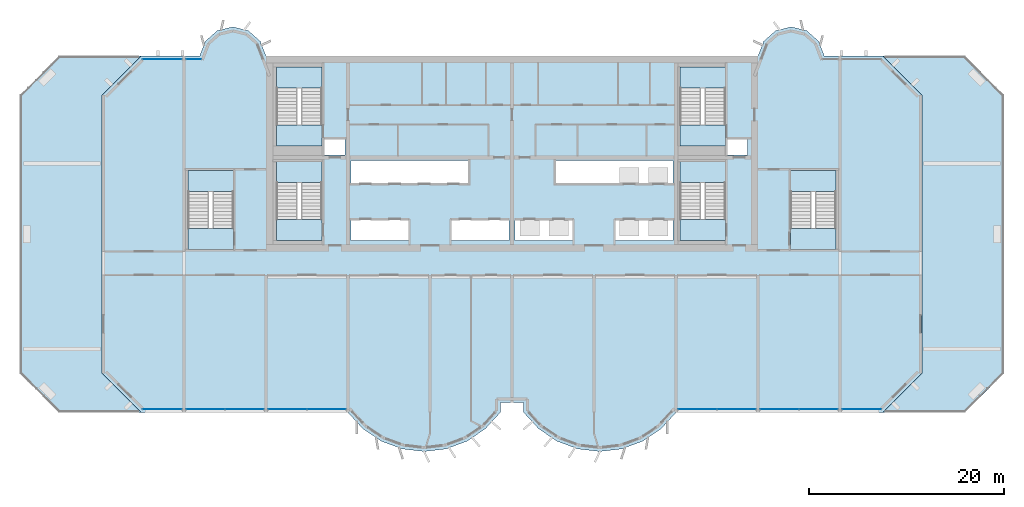
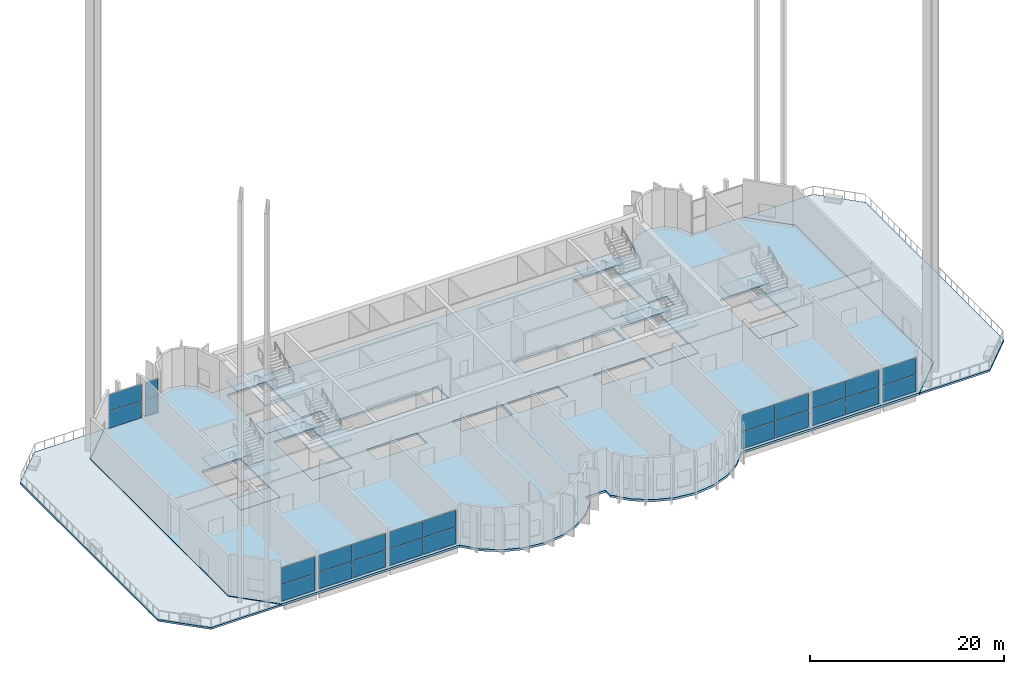
# One storey, part 9 of 19: 24 plates, 21 slabs, 14 elements without a shape of their own.
"""IFC4 building model written with IfcOpenShell, lengths in metres."""

from ifc_helpers import new_model, si_unit, direction, frame, origin, origin_2d, place, context, subcontext, project, spatial, polyline, rectangle, outline, extrude, source, transform, mapped, material, layer, layer_set, type_object, element, aggregate, save


model = new_model("IFC4")

# Units and contexts
model_context = context("Model", 3, precision=1e-05, world=origin(), true_north=direction((0.0, 1.0)))
body_context = subcontext(model_context, "Body", "Model", "MODEL_VIEW")
ifc_project = project(units=[si_unit("LENGTHUNIT", "METRE"), si_unit("AREAUNIT", "SQUARE_METRE"), si_unit("VOLUMEUNIT", "CUBIC_METRE"), si_unit("PLANEANGLEUNIT", "RADIAN"), si_unit("MASSUNIT", "GRAM", prefix="KILO")], contexts=[model_context])

# Site, building, storey
site_placement = place(None, origin())
site = spatial("IfcSite", under=ifc_project, at=site_placement, CompositionType="ELEMENT")
building_placement = place(site_placement, origin())
building = spatial("IfcBuilding", under=site, at=building_placement, Name="Vanashikhar Sky Hotel", CompositionType="ELEMENT")
storey_placement = place(building_placement, frame((0.0, 0.0, 146.199951171875)))
storey = spatial("IfcBuildingStorey", under=building, at=storey_placement, Name="L35", CompositionType="ELEMENT", Elevation=146.199951171875)

# Slabs
ifc_material_1 = material(Name="Concrete M40", Category="concrete")
ifc_layer_1 = layer(ifc_material_1, 0.280029296875)
ifc_layer_set_1 = layer_set([ifc_layer_1], Name="Floor slab 280 mm")
slab_type_1 = type_object("IfcSlabType", Name="Floor slab 280 mm", PredefinedType="FLOOR", material=ifc_layer_set_1)
shared_shape_1 = source(origin(), body_context, "Body", "SweptSolid", [
    extrude(outline(polyline([(49.199951171875, 5.5), (49.199951171875, 6.5), (51.60009765625, 6.5), (51.60009765625, 5.5), (53.133056640625, 3.825927734375), (55.01708984375, 2.55810546875), (57.14599609375, 1.76806640625), (59.39990234375, 1.5), (61.654052734375, 1.76806640625), (63.782958984375, 2.55810546875), (65.6669921875, 3.825927734375), (67.199951171875, 5.5), (88.39990234375, 5.5), (92.39990234375, 9.5), (92.39990234375, 38.0), (88.39990234375, 42.0), (82.39990234375, 42.0), (81.81494140625, 43.527099609375), (80.587890625, 44.610107421875), (79.0, 45.0), (77.412109375, 44.610107421875), (76.18505859375, 43.527099609375), (75.60009765625, 42.0), (25.199951171875, 42.0), (24.614990234375, 43.527099609375), (23.387939453125, 44.610107421875), (21.800048828125, 45.0), (20.2119140625, 44.610107421875), (18.985107421875, 43.527099609375), (18.39990234375, 42.0), (12.39990234375, 42.0), (8.39990234375, 38.0), (8.39990234375, 9.5), (12.39990234375, 5.5), (33.60009765625, 5.5), (35.133056640625, 3.825927734375), (37.01708984375, 2.55810546875), (39.14599609375, 1.76806640625), (41.39990234375, 1.5), (43.654052734375, 1.76806640625), (45.782958984375, 2.55810546875), (47.6669921875, 3.825927734375), (49.199951171875, 5.5)]), holes=[polyline([(33.300048828125, 31.89990234375), (33.300048828125, 33.60009765625), (31.050048828125, 33.60009765625), (31.050048828125, 31.89990234375), (33.300048828125, 31.89990234375)]), polyline([(33.89990234375, 25.199951171875), (33.89990234375, 23.10009765625), (39.89990234375, 23.10009765625), (39.89990234375, 25.199951171875), (33.89990234375, 25.199951171875)]), polyline([(33.89990234375, 31.300048828125), (33.89990234375, 29.0), (45.89990234375, 29.0), (45.89990234375, 31.300048828125), (33.89990234375, 31.300048828125)]), polyline([(44.10009765625, 25.199951171875), (44.10009765625, 23.10009765625), (50.10009765625, 23.10009765625), (50.10009765625, 25.199951171875), (44.10009765625, 25.199951171875)]), polyline([(50.699951171875, 25.199951171875), (50.699951171875, 23.10009765625), (56.699951171875, 23.10009765625), (56.699951171875, 25.199951171875), (50.699951171875, 25.199951171875)]), polyline([(54.89990234375, 31.300048828125), (54.89990234375, 29.0), (66.89990234375, 29.0), (66.89990234375, 31.300048828125), (54.89990234375, 31.300048828125)]), polyline([(60.89990234375, 25.199951171875), (60.89990234375, 23.10009765625), (66.89990234375, 23.10009765625), (66.89990234375, 25.199951171875), (60.89990234375, 25.199951171875)]), polyline([(74.5, 31.89990234375), (74.5, 33.60009765625), (72.35009765625, 33.60009765625), (72.35009765625, 31.89990234375), (74.5, 31.89990234375)]), polyline([(30.949951171875, 23.10009765625), (30.949951171875, 31.199951171875), (26.300048828125, 31.199951171875), (26.300048828125, 23.10009765625), (30.949951171875, 23.10009765625)]), polyline([(72.25, 23.10009765625), (72.25, 31.199951171875), (67.60009765625, 31.199951171875), (67.60009765625, 23.10009765625), (72.25, 23.10009765625)]), polyline([(30.949951171875, 32.800048828125), (30.949951171875, 40.89990234375), (26.300048828125, 40.89990234375), (26.300048828125, 32.800048828125), (30.949951171875, 32.800048828125)]), polyline([(72.25, 32.800048828125), (72.25, 40.89990234375), (67.60009765625, 40.89990234375), (67.60009765625, 32.800048828125), (72.25, 32.800048828125)]), polyline([(83.60009765625, 22.199951171875), (83.60009765625, 30.300048828125), (78.949951171875, 30.300048828125), (78.949951171875, 22.199951171875), (83.60009765625, 22.199951171875)]), polyline([(21.85009765625, 22.199951171875), (21.85009765625, 30.300048828125), (17.199951171875, 30.300048828125), (17.199951171875, 22.199951171875), (21.85009765625, 22.199951171875)])]), origin(), (0.0, 0.0, 1.0), 0.280029296875),
])
slab_1_placement = place(storey_placement, frame((0.0, 0.0, -0.280029296875)))
element("IfcSlab", 1, at=slab_1_placement, inside=storey, type_object=slab_type_1, Name="Floor slab L35", PredefinedType="FLOOR", context=body_context, shape_type="MappedRepresentation", body=[
    mapped(shared_shape_1, transform((0.0, 0.0, 0.0), scale=1.0)),
])
ifc_layer_2 = layer(ifc_material_1, 0.22998046875)
ifc_layer_set_2 = layer_set([ifc_layer_2], Name="Terrace roof slab 230 mm")
slab_type_2 = type_object("IfcSlabType", Name="Terrace roof slab 230 mm", PredefinedType="ROOF", material=ifc_layer_set_2)
shared_shape_2 = source(origin(), body_context, "Body", "SweptSolid", [
    extrude(outline(polyline([(12.39501953125, 5.501953125), (8.39794921875, 9.4990234375), (8.39794921875, 38.0009765625), (12.39501953125, 41.998046875), (4.0009765625, 41.998046875), (0.001953125, 37.9990234375), (0.001953125, 9.5009765625), (4.0009765625, 5.501953125), (12.39501953125, 5.501953125)])), origin(), (0.0, 0.0, 1.0), 0.22998046875),
])
slab_2_placement = place(storey_placement, frame((0.0, 0.0, -0.280029296875)))
element("IfcSlab", 2, at=slab_2_placement, inside=storey, type_object=slab_type_2, Name="Terrace roof slab L35 1", PredefinedType="ROOF", context=body_context, shape_type="MappedRepresentation", body=[
    mapped(shared_shape_2, transform((0.0, 0.0, 0.0), scale=1.0)),
])
shared_shape_3 = source(origin(), body_context, "Body", "SweptSolid", [
    extrude(outline(polyline([(88.405029296875, 41.998046875), (92.402099609375, 38.0009765625), (92.402099609375, 9.4990234375), (88.405029296875, 5.501953125), (96.799072265625, 5.501953125), (100.798095703125, 9.5009765625), (100.798095703125, 37.9990234375), (96.799072265625, 41.998046875), (88.405029296875, 41.998046875)])), origin(), (0.0, 0.0, 1.0), 0.22998046875),
])
slab_3_placement = place(storey_placement, frame((0.0, 0.0, -0.280029296875)))
element("IfcSlab", 3, at=slab_3_placement, inside=storey, type_object=slab_type_2, Name="Terrace roof slab L35 2", PredefinedType="ROOF", context=body_context, shape_type="MappedRepresentation", body=[
    mapped(shared_shape_3, transform((0.0, 0.0, 0.0), scale=1.0)),
])

# Curtain wall, plates
ifc_material_2 = material(Name="Glass", Category="glass")
curtain_wall_type = type_object("IfcCurtainWallType", Name="Sky lobby curtain wall", PredefinedType="NOTDEFINED", material=ifc_material_2)
curtain_wall_1_placement = place(storey_placement, origin())
curtain_wall_1 = element("IfcCurtainWall", 4, at=curtain_wall_1_placement, inside=storey, type_object=curtain_wall_type, Name="Sky lobby curtain wall", PredefinedType="NOTDEFINED")
ifc_layer_3 = layer(ifc_material_2, 0.028076171875)
ifc_layer_set_3 = layer_set([ifc_layer_3], Name="Sky lobby glazing panel")
plate_type = type_object("IfcPlateType", Name="Sky lobby glazing panel", PredefinedType="CURTAIN_PANEL", material=ifc_layer_set_3)
shared_shape_4 = source(origin(), body_context, "Body", "SweptSolid", [
    extrude(rectangle(XDim=3.9599609375, YDim=0.028076171875, at=origin_2d()), origin(), (0.0, 0.0, 1.0), 2.094970703125),
])
plate_1_placement = place(storey_placement, frame((18.989990234375, 5.824951171875, 0.06005859375), z_axis=(0.0, 0.0, 1.0), x_axis=(1.0, 0.0, 0.0)))
plate_1 = element("IfcPlate", 5, at=plate_1_placement, type_object=plate_type, Name="CW-4 panel 1.1", PredefinedType="CURTAIN_PANEL", context=body_context, shape_type="MappedRepresentation", body=[
    mapped(shared_shape_4, transform((0.0, 0.0, 0.0), scale=1.0)),
])
plate_2_placement = place(storey_placement, frame((18.989990234375, 5.824951171875, 2.21484375), z_axis=(0.0, 0.0, 1.0), x_axis=(1.0, 0.0, 0.0)))
plate_2 = element("IfcPlate", 6, at=plate_2_placement, type_object=plate_type, Name="CW-4 panel 1.2", PredefinedType="CURTAIN_PANEL", context=body_context, shape_type="MappedRepresentation", body=[
    mapped(shared_shape_4, transform((0.0, 0.0, 0.0), scale=1.0)),
])
plate_3_placement = place(storey_placement, frame((23.010009765625, 5.824951171875, 0.06005859375), z_axis=(0.0, 0.0, 1.0), x_axis=(1.0, 0.0, 0.0)))
plate_3 = element("IfcPlate", 7, at=plate_3_placement, type_object=plate_type, Name="CW-4 panel 2.1", PredefinedType="CURTAIN_PANEL", context=body_context, shape_type="MappedRepresentation", body=[
    mapped(shared_shape_4, transform((0.0, 0.0, 0.0), scale=1.0)),
])
plate_4_placement = place(storey_placement, frame((23.010009765625, 5.824951171875, 2.21484375), z_axis=(0.0, 0.0, 1.0), x_axis=(1.0, 0.0, 0.0)))
plate_4 = element("IfcPlate", 8, at=plate_4_placement, type_object=plate_type, Name="CW-4 panel 2.2", PredefinedType="CURTAIN_PANEL", context=body_context, shape_type="MappedRepresentation", body=[
    mapped(shared_shape_4, transform((0.0, 0.0, 0.0), scale=1.0)),
])
aggregate(curtain_wall_1, [plate_1, plate_2, plate_3, plate_4])

curtain_wall_2_placement = place(storey_placement, origin())
curtain_wall_2 = element("IfcCurtainWall", 9, at=curtain_wall_2_placement, inside=storey, type_object=curtain_wall_type, Name="Sky lobby curtain wall", PredefinedType="NOTDEFINED")
plate_5_placement = place(storey_placement, frame((27.389892578125, 5.824951171875, 0.06005859375), z_axis=(0.0, 0.0, 1.0), x_axis=(1.0, 0.0, 0.0)))
plate_5 = element("IfcPlate", 10, at=plate_5_placement, type_object=plate_type, Name="CW-4 panel 1.1", PredefinedType="CURTAIN_PANEL", context=body_context, shape_type="MappedRepresentation", body=[
    mapped(shared_shape_4, transform((0.0, 0.0, 0.0), scale=1.0)),
])
plate_6_placement = place(storey_placement, frame((27.389892578125, 5.824951171875, 2.21484375), z_axis=(0.0, 0.0, 1.0), x_axis=(1.0, 0.0, 0.0)))
plate_6 = element("IfcPlate", 11, at=plate_6_placement, type_object=plate_type, Name="CW-4 panel 1.2", PredefinedType="CURTAIN_PANEL", context=body_context, shape_type="MappedRepresentation", body=[
    mapped(shared_shape_4, transform((0.0, 0.0, 0.0), scale=1.0)),
])
plate_7_placement = place(storey_placement, frame((31.409912109375, 5.824951171875, 0.06005859375), z_axis=(0.0, 0.0, 1.0), x_axis=(1.0, 0.0, 0.0)))
plate_7 = element("IfcPlate", 12, at=plate_7_placement, type_object=plate_type, Name="CW-4 panel 2.1", PredefinedType="CURTAIN_PANEL", context=body_context, shape_type="MappedRepresentation", body=[
    mapped(shared_shape_4, transform((0.0, 0.0, 0.0), scale=1.0)),
])
plate_8_placement = place(storey_placement, frame((31.409912109375, 5.824951171875, 2.21484375), z_axis=(0.0, 0.0, 1.0), x_axis=(1.0, 0.0, 0.0)))
plate_8 = element("IfcPlate", 13, at=plate_8_placement, type_object=plate_type, Name="CW-4 panel 2.2", PredefinedType="CURTAIN_PANEL", context=body_context, shape_type="MappedRepresentation", body=[
    mapped(shared_shape_4, transform((0.0, 0.0, 0.0), scale=1.0)),
])
aggregate(curtain_wall_2, [plate_5, plate_6, plate_7, plate_8])

curtain_wall_3_placement = place(storey_placement, origin())
curtain_wall_3 = element("IfcCurtainWall", 14, at=curtain_wall_3_placement, inside=storey, type_object=curtain_wall_type, Name="Sky lobby curtain wall", PredefinedType="NOTDEFINED")
plate_9_placement = place(storey_placement, frame((69.389892578125, 5.824951171875, 0.06005859375), z_axis=(0.0, 0.0, 1.0), x_axis=(1.0, 0.0, 0.0)))
plate_9 = element("IfcPlate", 15, at=plate_9_placement, type_object=plate_type, Name="CW-4 panel 1.1", PredefinedType="CURTAIN_PANEL", context=body_context, shape_type="MappedRepresentation", body=[
    mapped(shared_shape_4, transform((0.0, 0.0, 0.0), scale=1.0)),
])
plate_10_placement = place(storey_placement, frame((69.389892578125, 5.824951171875, 2.21484375), z_axis=(0.0, 0.0, 1.0), x_axis=(1.0, 0.0, 0.0)))
plate_10 = element("IfcPlate", 16, at=plate_10_placement, type_object=plate_type, Name="CW-4 panel 1.2", PredefinedType="CURTAIN_PANEL", context=body_context, shape_type="MappedRepresentation", body=[
    mapped(shared_shape_4, transform((0.0, 0.0, 0.0), scale=1.0)),
])
plate_11_placement = place(storey_placement, frame((73.409912109375, 5.824951171875, 0.06005859375), z_axis=(0.0, 0.0, 1.0), x_axis=(1.0, 0.0, 0.0)))
plate_11 = element("IfcPlate", 17, at=plate_11_placement, type_object=plate_type, Name="CW-4 panel 2.1", PredefinedType="CURTAIN_PANEL", context=body_context, shape_type="MappedRepresentation", body=[
    mapped(shared_shape_4, transform((0.0, 0.0, 0.0), scale=1.0)),
])
plate_12_placement = place(storey_placement, frame((73.409912109375, 5.824951171875, 2.21484375), z_axis=(0.0, 0.0, 1.0), x_axis=(1.0, 0.0, 0.0)))
plate_12 = element("IfcPlate", 18, at=plate_12_placement, type_object=plate_type, Name="CW-4 panel 2.2", PredefinedType="CURTAIN_PANEL", context=body_context, shape_type="MappedRepresentation", body=[
    mapped(shared_shape_4, transform((0.0, 0.0, 0.0), scale=1.0)),
])
aggregate(curtain_wall_3, [plate_9, plate_10, plate_11, plate_12])

curtain_wall_4_placement = place(storey_placement, origin())
curtain_wall_4 = element("IfcCurtainWall", 19, at=curtain_wall_4_placement, inside=storey, type_object=curtain_wall_type, Name="Sky lobby curtain wall", PredefinedType="NOTDEFINED")
plate_13_placement = place(storey_placement, frame((77.7900390625, 5.824951171875, 0.06005859375), z_axis=(0.0, 0.0, 1.0), x_axis=(1.0, 0.0, 0.0)))
plate_13 = element("IfcPlate", 20, at=plate_13_placement, type_object=plate_type, Name="CW-4 panel 1.1", PredefinedType="CURTAIN_PANEL", context=body_context, shape_type="MappedRepresentation", body=[
    mapped(shared_shape_4, transform((0.0, 0.0, 0.0), scale=1.0)),
])
plate_14_placement = place(storey_placement, frame((77.7900390625, 5.824951171875, 2.21484375), z_axis=(0.0, 0.0, 1.0), x_axis=(1.0, 0.0, 0.0)))
plate_14 = element("IfcPlate", 21, at=plate_14_placement, type_object=plate_type, Name="CW-4 panel 1.2", PredefinedType="CURTAIN_PANEL", context=body_context, shape_type="MappedRepresentation", body=[
    mapped(shared_shape_4, transform((0.0, 0.0, 0.0), scale=1.0)),
])
plate_15_placement = place(storey_placement, frame((81.81005859375, 5.824951171875, 0.06005859375), z_axis=(0.0, 0.0, 1.0), x_axis=(1.0, 0.0, 0.0)))
plate_15 = element("IfcPlate", 22, at=plate_15_placement, type_object=plate_type, Name="CW-4 panel 2.1", PredefinedType="CURTAIN_PANEL", context=body_context, shape_type="MappedRepresentation", body=[
    mapped(shared_shape_4, transform((0.0, 0.0, 0.0), scale=1.0)),
])
plate_16_placement = place(storey_placement, frame((81.81005859375, 5.824951171875, 2.21484375), z_axis=(0.0, 0.0, 1.0), x_axis=(1.0, 0.0, 0.0)))
plate_16 = element("IfcPlate", 23, at=plate_16_placement, type_object=plate_type, Name="CW-4 panel 2.2", PredefinedType="CURTAIN_PANEL", context=body_context, shape_type="MappedRepresentation", body=[
    mapped(shared_shape_4, transform((0.0, 0.0, 0.0), scale=1.0)),
])
aggregate(curtain_wall_4, [plate_13, plate_14, plate_15, plate_16])

curtain_wall_5_placement = place(storey_placement, origin())
curtain_wall_5 = element("IfcCurtainWall", 24, at=curtain_wall_5_placement, inside=storey, type_object=curtain_wall_type, Name="Sky lobby curtain wall", PredefinedType="NOTDEFINED")
shared_shape_5 = source(origin(), body_context, "Body", "SweptSolid", [
    extrude(rectangle(XDim=3.995361328125, YDim=0.028076171875, at=origin_2d()), origin(), (0.0, 0.0, 1.0), 2.094970703125),
])
plate_17_placement = place(storey_placement, frame((14.59228515625, 5.824951171875, 0.06005859375), z_axis=(0.0, 0.0, 1.0), x_axis=(1.0, 0.0, 0.0)))
plate_17 = element("IfcPlate", 25, at=plate_17_placement, type_object=plate_type, Name="CW-4 panel 1.1", PredefinedType="CURTAIN_PANEL", context=body_context, shape_type="MappedRepresentation", body=[
    mapped(shared_shape_5, transform((0.0, 0.0, 0.0), scale=1.0)),
])
plate_18_placement = place(storey_placement, frame((14.59228515625, 5.824951171875, 2.21484375), z_axis=(0.0, 0.0, 1.0), x_axis=(1.0, 0.0, 0.0)))
plate_18 = element("IfcPlate", 26, at=plate_18_placement, type_object=plate_type, Name="CW-4 panel 1.2", PredefinedType="CURTAIN_PANEL", context=body_context, shape_type="MappedRepresentation", body=[
    mapped(shared_shape_5, transform((0.0, 0.0, 0.0), scale=1.0)),
])
aggregate(curtain_wall_5, [plate_17, plate_18])

curtain_wall_6_placement = place(storey_placement, origin())
curtain_wall_6 = element("IfcCurtainWall", 27, at=curtain_wall_6_placement, inside=storey, type_object=curtain_wall_type, Name="Sky lobby curtain wall", PredefinedType="NOTDEFINED")
plate_19_placement = place(storey_placement, frame((86.207763671875, 5.824951171875, 0.06005859375), z_axis=(0.0, 0.0, 1.0), x_axis=(1.0, 0.0, 0.0)))
plate_19 = element("IfcPlate", 28, at=plate_19_placement, type_object=plate_type, Name="CW-4 panel 1.1", PredefinedType="CURTAIN_PANEL", context=body_context, shape_type="MappedRepresentation", body=[
    mapped(shared_shape_5, transform((0.0, 0.0, 0.0), scale=1.0)),
])
plate_20_placement = place(storey_placement, frame((86.207763671875, 5.824951171875, 2.21484375), z_axis=(0.0, 0.0, 1.0), x_axis=(1.0, 0.0, 0.0)))
plate_20 = element("IfcPlate", 29, at=plate_20_placement, type_object=plate_type, Name="CW-4 panel 1.2", PredefinedType="CURTAIN_PANEL", context=body_context, shape_type="MappedRepresentation", body=[
    mapped(shared_shape_5, transform((0.0, 0.0, 0.0), scale=1.0)),
])
aggregate(curtain_wall_6, [plate_19, plate_20])

curtain_wall_7_placement = place(storey_placement, origin())
curtain_wall_7 = element("IfcCurtainWall", 30, at=curtain_wall_7_placement, inside=storey, type_object=curtain_wall_type, Name="Sky lobby curtain wall", PredefinedType="NOTDEFINED")
plate_21_placement = place(storey_placement, frame((14.59228515625, 41.675048828125, 0.06005859375), z_axis=(0.0, 0.0, 1.0), x_axis=(-1.0, 0.0, 0.0)))
plate_21 = element("IfcPlate", 31, at=plate_21_placement, type_object=plate_type, Name="CW-4 panel 1.1", PredefinedType="CURTAIN_PANEL", context=body_context, shape_type="MappedRepresentation", body=[
    mapped(shared_shape_5, transform((0.0, 0.0, 0.0), scale=1.0)),
])
plate_22_placement = place(storey_placement, frame((14.59228515625, 41.675048828125, 2.21484375), z_axis=(0.0, 0.0, 1.0), x_axis=(-1.0, 0.0, 0.0)))
plate_22 = element("IfcPlate", 32, at=plate_22_placement, type_object=plate_type, Name="CW-4 panel 1.2", PredefinedType="CURTAIN_PANEL", context=body_context, shape_type="MappedRepresentation", body=[
    mapped(shared_shape_5, transform((0.0, 0.0, 0.0), scale=1.0)),
])
aggregate(curtain_wall_7, [plate_21, plate_22])

curtain_wall_8_placement = place(storey_placement, origin())
curtain_wall_8 = element("IfcCurtainWall", 33, at=curtain_wall_8_placement, inside=storey, type_object=curtain_wall_type, Name="Sky lobby curtain wall", PredefinedType="NOTDEFINED")
shared_shape_6 = source(origin(), body_context, "Body", "SweptSolid", [
    extrude(rectangle(XDim=1.553466796875, YDim=0.028076171875, at=origin_2d()), origin(), (0.0, 0.0, 1.0), 2.094970703125),
])
plate_23_placement = place(storey_placement, frame((17.786865234375, 41.675048828125, 0.06005859375), z_axis=(0.0, 0.0, 1.0), x_axis=(-1.0, 0.0, 0.0)))
plate_23 = element("IfcPlate", 34, at=plate_23_placement, type_object=plate_type, Name="CW-4 panel 1.1", PredefinedType="CURTAIN_PANEL", context=body_context, shape_type="MappedRepresentation", body=[
    mapped(shared_shape_6, transform((0.0, 0.0, 0.0), scale=1.0)),
])
plate_24_placement = place(storey_placement, frame((17.786865234375, 41.675048828125, 2.21484375), z_axis=(0.0, 0.0, 1.0), x_axis=(-1.0, 0.0, 0.0)))
plate_24 = element("IfcPlate", 35, at=plate_24_placement, type_object=plate_type, Name="CW-4 panel 1.2", PredefinedType="CURTAIN_PANEL", context=body_context, shape_type="MappedRepresentation", body=[
    mapped(shared_shape_6, transform((0.0, 0.0, 0.0), scale=1.0)),
])
aggregate(curtain_wall_8, [plate_23, plate_24])

# Stair, slabs
stair_type = type_object("IfcStairType", Name="Exit stair 2150", PredefinedType="DOUBLE_RETURN_STAIR", material=ifc_material_1)
stair_1_placement = place(storey_placement, origin())
stair_1 = element("IfcStair", 36, at=stair_1_placement, inside=storey, type_object=stair_type, Name="L35 Exit stair 1", PredefinedType="DOUBLE_RETURN_STAIR")
ifc_layer_4 = layer(ifc_material_1, 0.199951171875)
ifc_layer_set_4 = layer_set([ifc_layer_4], Name="Stair landing 200")
slab_type_3 = type_object("IfcSlabType", Name="Stair landing 200", PredefinedType="LANDING", material=ifc_layer_set_4)
shared_shape_7 = source(origin(), body_context, "Body", "SweptSolid", [
    extrude(outline(polyline([(30.949951171875, 29.050048828125), (30.949951171875, 31.199951171875), (26.300048828125, 31.199951171875), (26.300048828125, 29.050048828125), (30.949951171875, 29.050048828125)])), origin(), (0.0, 0.0, 1.0), 0.199951171875),
])
slab_4_placement = place(storey_placement, frame((0.0, 0.0, 1.60009765625)))
slab_4 = element("IfcSlab", 37, at=slab_4_placement, type_object=slab_type_3, Name="ST-C1 landing 1", PredefinedType="LANDING", context=body_context, shape_type="MappedRepresentation", body=[
    mapped(shared_shape_7, transform((0.0, 0.0, 0.0), scale=1.0)),
])
shared_shape_8 = source(origin(), body_context, "Body", "SweptSolid", [
    extrude(outline(polyline([(30.949951171875, 23.10009765625), (30.949951171875, 25.25), (26.300048828125, 25.25), (26.300048828125, 23.10009765625), (30.949951171875, 23.10009765625)])), origin(), (0.0, 0.0, 1.0), 0.199951171875),
])
slab_5_placement = place(storey_placement, frame((0.0, 0.0, 3.400146484375)))
slab_5 = element("IfcSlab", 38, at=slab_5_placement, type_object=slab_type_3, Name="ST-C1 landing 2", PredefinedType="LANDING", context=body_context, shape_type="MappedRepresentation", body=[
    mapped(shared_shape_8, transform((0.0, 0.0, 0.0), scale=1.0)),
])
aggregate(stair_1, [slab_4, slab_5])

# Slab
ifc_layer_5 = layer(ifc_material_1, 0.280029296875)
ifc_layer_set_5 = layer_set([ifc_layer_5], Name="Stair floor landing 280")
slab_type_4 = type_object("IfcSlabType", Name="Stair floor landing 280", PredefinedType="LANDING", material=ifc_layer_set_5)
shared_shape_9 = source(origin(), body_context, "Body", "SweptSolid", [
    extrude(outline(polyline([(30.949951171875, 23.10009765625), (30.949951171875, 25.25), (26.300048828125, 25.25), (26.300048828125, 23.10009765625), (30.949951171875, 23.10009765625)])), origin(), (0.0, 0.0, 1.0), 0.280029296875),
])
slab_6_placement = place(storey_placement, frame((0.0, 0.0, -0.280029296875)))
element("IfcSlab", 39, at=slab_6_placement, inside=storey, type_object=slab_type_4, Name="Exit stair 1 floor landing", PredefinedType="LANDING", context=body_context, shape_type="MappedRepresentation", body=[
    mapped(shared_shape_9, transform((0.0, 0.0, 0.0), scale=1.0)),
])

# Stair, slabs
stair_2_placement = place(storey_placement, origin())
stair_2 = element("IfcStair", 40, at=stair_2_placement, inside=storey, type_object=stair_type, Name="L35 Exit stair 2", PredefinedType="DOUBLE_RETURN_STAIR")
shared_shape_10 = source(origin(), body_context, "Body", "SweptSolid", [
    extrude(outline(polyline([(72.25, 29.050048828125), (72.25, 31.199951171875), (67.60009765625, 31.199951171875), (67.60009765625, 29.050048828125), (72.25, 29.050048828125)])), origin(), (0.0, 0.0, 1.0), 0.199951171875),
])
slab_7_placement = place(storey_placement, frame((0.0, 0.0, 1.60009765625)))
slab_7 = element("IfcSlab", 41, at=slab_7_placement, type_object=slab_type_3, Name="ST-C2 landing 1", PredefinedType="LANDING", context=body_context, shape_type="MappedRepresentation", body=[
    mapped(shared_shape_10, transform((0.0, 0.0, 0.0), scale=1.0)),
])
shared_shape_11 = source(origin(), body_context, "Body", "SweptSolid", [
    extrude(outline(polyline([(72.25, 23.10009765625), (72.25, 25.25), (67.60009765625, 25.25), (67.60009765625, 23.10009765625), (72.25, 23.10009765625)])), origin(), (0.0, 0.0, 1.0), 0.199951171875),
])
slab_8_placement = place(storey_placement, frame((0.0, 0.0, 3.400146484375)))
slab_8 = element("IfcSlab", 42, at=slab_8_placement, type_object=slab_type_3, Name="ST-C2 landing 2", PredefinedType="LANDING", context=body_context, shape_type="MappedRepresentation", body=[
    mapped(shared_shape_11, transform((0.0, 0.0, 0.0), scale=1.0)),
])
aggregate(stair_2, [slab_7, slab_8])

# Slab
shared_shape_12 = source(origin(), body_context, "Body", "SweptSolid", [
    extrude(outline(polyline([(72.25, 23.10009765625), (72.25, 25.25), (67.60009765625, 25.25), (67.60009765625, 23.10009765625), (72.25, 23.10009765625)])), origin(), (0.0, 0.0, 1.0), 0.280029296875),
])
slab_9_placement = place(storey_placement, frame((0.0, 0.0, -0.280029296875)))
element("IfcSlab", 43, at=slab_9_placement, inside=storey, type_object=slab_type_4, Name="Exit stair 2 floor landing", PredefinedType="LANDING", context=body_context, shape_type="MappedRepresentation", body=[
    mapped(shared_shape_12, transform((0.0, 0.0, 0.0), scale=1.0)),
])

# Stair, slabs
stair_3_placement = place(storey_placement, origin())
stair_3 = element("IfcStair", 44, at=stair_3_placement, inside=storey, type_object=stair_type, Name="L35 Exit stair 3", PredefinedType="DOUBLE_RETURN_STAIR")
shared_shape_13 = source(origin(), body_context, "Body", "SweptSolid", [
    extrude(outline(polyline([(21.85009765625, 28.14990234375), (21.85009765625, 30.300048828125), (17.199951171875, 30.300048828125), (17.199951171875, 28.14990234375), (21.85009765625, 28.14990234375)])), origin(), (0.0, 0.0, 1.0), 0.199951171875),
])
slab_10_placement = place(storey_placement, frame((0.0, 0.0, 1.60009765625)))
slab_10 = element("IfcSlab", 45, at=slab_10_placement, type_object=slab_type_3, Name="ST-W landing 1", PredefinedType="LANDING", context=body_context, shape_type="MappedRepresentation", body=[
    mapped(shared_shape_13, transform((0.0, 0.0, 0.0), scale=1.0)),
])
shared_shape_14 = source(origin(), body_context, "Body", "SweptSolid", [
    extrude(outline(polyline([(21.85009765625, 22.199951171875), (21.85009765625, 24.35009765625), (17.199951171875, 24.35009765625), (17.199951171875, 22.199951171875), (21.85009765625, 22.199951171875)])), origin(), (0.0, 0.0, 1.0), 0.199951171875),
])
slab_11_placement = place(storey_placement, frame((0.0, 0.0, 3.400146484375)))
slab_11 = element("IfcSlab", 46, at=slab_11_placement, type_object=slab_type_3, Name="ST-W landing 2", PredefinedType="LANDING", context=body_context, shape_type="MappedRepresentation", body=[
    mapped(shared_shape_14, transform((0.0, 0.0, 0.0), scale=1.0)),
])
aggregate(stair_3, [slab_10, slab_11])

# Slab
shared_shape_15 = source(origin(), body_context, "Body", "SweptSolid", [
    extrude(outline(polyline([(21.85009765625, 22.199951171875), (21.85009765625, 24.35009765625), (17.199951171875, 24.35009765625), (17.199951171875, 22.199951171875), (21.85009765625, 22.199951171875)])), origin(), (0.0, 0.0, 1.0), 0.280029296875),
])
slab_12_placement = place(storey_placement, frame((0.0, 0.0, -0.280029296875)))
element("IfcSlab", 47, at=slab_12_placement, inside=storey, type_object=slab_type_4, Name="Exit stair 3 floor landing", PredefinedType="LANDING", context=body_context, shape_type="MappedRepresentation", body=[
    mapped(shared_shape_15, transform((0.0, 0.0, 0.0), scale=1.0)),
])

# Stair, slabs
stair_4_placement = place(storey_placement, origin())
stair_4 = element("IfcStair", 48, at=stair_4_placement, inside=storey, type_object=stair_type, Name="L35 Exit stair 4", PredefinedType="DOUBLE_RETURN_STAIR")
shared_shape_16 = source(origin(), body_context, "Body", "SweptSolid", [
    extrude(outline(polyline([(83.60009765625, 28.14990234375), (83.60009765625, 30.300048828125), (78.949951171875, 30.300048828125), (78.949951171875, 28.14990234375), (83.60009765625, 28.14990234375)])), origin(), (0.0, 0.0, 1.0), 0.199951171875),
])
slab_13_placement = place(storey_placement, frame((0.0, 0.0, 1.60009765625)))
slab_13 = element("IfcSlab", 49, at=slab_13_placement, type_object=slab_type_3, Name="ST-E landing 1", PredefinedType="LANDING", context=body_context, shape_type="MappedRepresentation", body=[
    mapped(shared_shape_16, transform((0.0, 0.0, 0.0), scale=1.0)),
])
shared_shape_17 = source(origin(), body_context, "Body", "SweptSolid", [
    extrude(outline(polyline([(83.60009765625, 22.199951171875), (83.60009765625, 24.35009765625), (78.949951171875, 24.35009765625), (78.949951171875, 22.199951171875), (83.60009765625, 22.199951171875)])), origin(), (0.0, 0.0, 1.0), 0.199951171875),
])
slab_14_placement = place(storey_placement, frame((0.0, 0.0, 3.400146484375)))
slab_14 = element("IfcSlab", 50, at=slab_14_placement, type_object=slab_type_3, Name="ST-E landing 2", PredefinedType="LANDING", context=body_context, shape_type="MappedRepresentation", body=[
    mapped(shared_shape_17, transform((0.0, 0.0, 0.0), scale=1.0)),
])
aggregate(stair_4, [slab_13, slab_14])

# Slab
shared_shape_18 = source(origin(), body_context, "Body", "SweptSolid", [
    extrude(outline(polyline([(83.60009765625, 22.199951171875), (83.60009765625, 24.35009765625), (78.949951171875, 24.35009765625), (78.949951171875, 22.199951171875), (83.60009765625, 22.199951171875)])), origin(), (0.0, 0.0, 1.0), 0.280029296875),
])
slab_15_placement = place(storey_placement, frame((0.0, 0.0, -0.280029296875)))
element("IfcSlab", 51, at=slab_15_placement, inside=storey, type_object=slab_type_4, Name="Exit stair 4 floor landing", PredefinedType="LANDING", context=body_context, shape_type="MappedRepresentation", body=[
    mapped(shared_shape_18, transform((0.0, 0.0, 0.0), scale=1.0)),
])

# Stair, slabs
stair_5_placement = place(storey_placement, origin())
stair_5 = element("IfcStair", 52, at=stair_5_placement, inside=storey, type_object=stair_type, Name="L35 Exit stair 5", PredefinedType="DOUBLE_RETURN_STAIR")
shared_shape_19 = source(origin(), body_context, "Body", "SweptSolid", [
    extrude(outline(polyline([(30.949951171875, 38.75), (30.949951171875, 40.89990234375), (26.300048828125, 40.89990234375), (26.300048828125, 38.75), (30.949951171875, 38.75)])), origin(), (0.0, 0.0, 1.0), 0.199951171875),
])
slab_16_placement = place(storey_placement, frame((0.0, 0.0, 1.60009765625)))
slab_16 = element("IfcSlab", 53, at=slab_16_placement, type_object=slab_type_3, Name="ST-C3 landing 1", PredefinedType="LANDING", context=body_context, shape_type="MappedRepresentation", body=[
    mapped(shared_shape_19, transform((0.0, 0.0, 0.0), scale=1.0)),
])
shared_shape_20 = source(origin(), body_context, "Body", "SweptSolid", [
    extrude(outline(polyline([(30.949951171875, 32.800048828125), (30.949951171875, 34.949951171875), (26.300048828125, 34.949951171875), (26.300048828125, 32.800048828125), (30.949951171875, 32.800048828125)])), origin(), (0.0, 0.0, 1.0), 0.199951171875),
])
slab_17_placement = place(storey_placement, frame((0.0, 0.0, 3.400146484375)))
slab_17 = element("IfcSlab", 54, at=slab_17_placement, type_object=slab_type_3, Name="ST-C3 landing 2", PredefinedType="LANDING", context=body_context, shape_type="MappedRepresentation", body=[
    mapped(shared_shape_20, transform((0.0, 0.0, 0.0), scale=1.0)),
])
aggregate(stair_5, [slab_16, slab_17])

# Slab
shared_shape_21 = source(origin(), body_context, "Body", "SweptSolid", [
    extrude(outline(polyline([(30.949951171875, 32.800048828125), (30.949951171875, 34.949951171875), (26.300048828125, 34.949951171875), (26.300048828125, 32.800048828125), (30.949951171875, 32.800048828125)])), origin(), (0.0, 0.0, 1.0), 0.280029296875),
])
slab_18_placement = place(storey_placement, frame((0.0, 0.0, -0.280029296875)))
element("IfcSlab", 55, at=slab_18_placement, inside=storey, type_object=slab_type_4, Name="Exit stair 5 floor landing", PredefinedType="LANDING", context=body_context, shape_type="MappedRepresentation", body=[
    mapped(shared_shape_21, transform((0.0, 0.0, 0.0), scale=1.0)),
])

# Stair, slabs
stair_6_placement = place(storey_placement, origin())
stair_6 = element("IfcStair", 56, at=stair_6_placement, inside=storey, type_object=stair_type, Name="L35 Exit stair 6", PredefinedType="DOUBLE_RETURN_STAIR")
shared_shape_22 = source(origin(), body_context, "Body", "SweptSolid", [
    extrude(outline(polyline([(72.25, 38.75), (72.25, 40.89990234375), (67.60009765625, 40.89990234375), (67.60009765625, 38.75), (72.25, 38.75)])), origin(), (0.0, 0.0, 1.0), 0.199951171875),
])
slab_19_placement = place(storey_placement, frame((0.0, 0.0, 1.60009765625)))
slab_19 = element("IfcSlab", 57, at=slab_19_placement, type_object=slab_type_3, Name="ST-C4 landing 1", PredefinedType="LANDING", context=body_context, shape_type="MappedRepresentation", body=[
    mapped(shared_shape_22, transform((0.0, 0.0, 0.0), scale=1.0)),
])
shared_shape_23 = source(origin(), body_context, "Body", "SweptSolid", [
    extrude(outline(polyline([(72.25, 32.800048828125), (72.25, 34.949951171875), (67.60009765625, 34.949951171875), (67.60009765625, 32.800048828125), (72.25, 32.800048828125)])), origin(), (0.0, 0.0, 1.0), 0.199951171875),
])
slab_20_placement = place(storey_placement, frame((0.0, 0.0, 3.400146484375)))
slab_20 = element("IfcSlab", 58, at=slab_20_placement, type_object=slab_type_3, Name="ST-C4 landing 2", PredefinedType="LANDING", context=body_context, shape_type="MappedRepresentation", body=[
    mapped(shared_shape_23, transform((0.0, 0.0, 0.0), scale=1.0)),
])
aggregate(stair_6, [slab_19, slab_20])

# Slab
shared_shape_24 = source(origin(), body_context, "Body", "SweptSolid", [
    extrude(outline(polyline([(72.25, 32.800048828125), (72.25, 34.949951171875), (67.60009765625, 34.949951171875), (67.60009765625, 32.800048828125), (72.25, 32.800048828125)])), origin(), (0.0, 0.0, 1.0), 0.280029296875),
])
slab_21_placement = place(storey_placement, frame((0.0, 0.0, -0.280029296875)))
element("IfcSlab", 59, at=slab_21_placement, inside=storey, type_object=slab_type_4, Name="Exit stair 6 floor landing", PredefinedType="LANDING", context=body_context, shape_type="MappedRepresentation", body=[
    mapped(shared_shape_24, transform((0.0, 0.0, 0.0), scale=1.0)),
])

save(model, "model.ifc")
